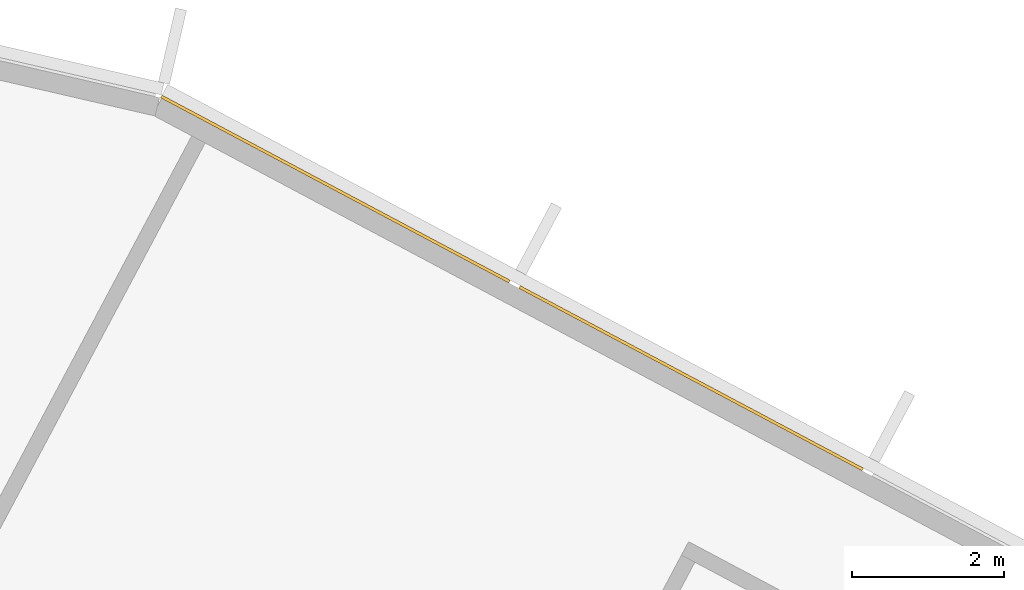
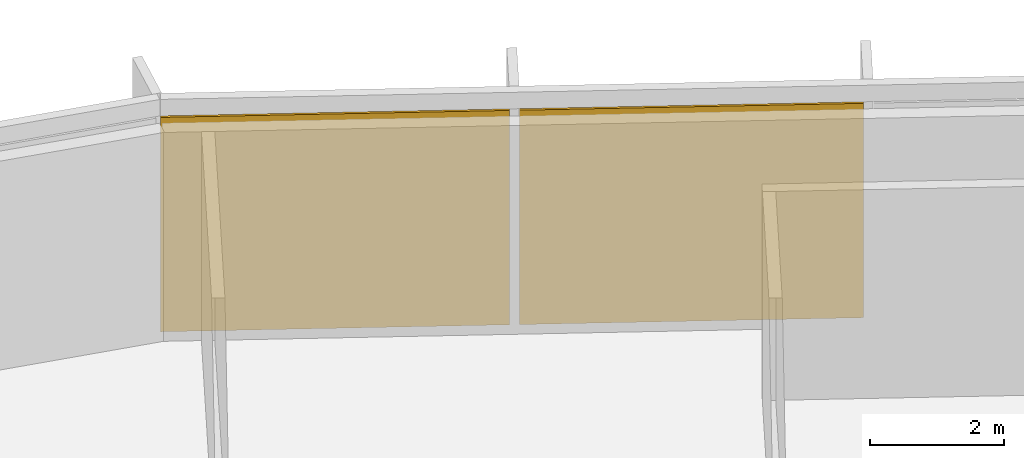
# One storey, part 16 of 16: 2 coverings, 1 element without a shape of its own.
"""IFC4 building model written with IfcOpenShell, lengths in metres."""

from ifc_helpers import new_model, si_unit, direction, frame, origin, origin_2d, place, context, subcontext, project, spatial, rectangle, extrude, material, layer, layer_set, type_object, element, aggregate, save


model = new_model("IFC4")

# Units and contexts
model_context = context("Model", 3, precision=1e-05, world=origin(), true_north=direction((0.0, 1.0)))
body_context = subcontext(model_context, "Body", "Model", "MODEL_VIEW")
ifc_project = project(units=[si_unit("LENGTHUNIT", "METRE"), si_unit("AREAUNIT", "SQUARE_METRE"), si_unit("VOLUMEUNIT", "CUBIC_METRE"), si_unit("PLANEANGLEUNIT", "RADIAN"), si_unit("MASSUNIT", "GRAM", prefix="KILO")], contexts=[model_context])

# Site, building, storey
site_placement = place(None, origin())
site = spatial("IfcSite", under=ifc_project, at=site_placement, CompositionType="ELEMENT")
building_placement = place(site_placement, origin())
building = spatial("IfcBuilding", under=site, at=building_placement, Name="Cormorant Relay Tower", CompositionType="ELEMENT")
storey_placement = place(building_placement, frame((0.0, 0.0, 345.0)))
storey = spatial("IfcBuildingStorey", under=building, at=storey_placement, Name="C5", CompositionType="ELEMENT", Elevation=345.0)

# Curtain wall, coverings
ifc_material_1 = material(Name="Aluminium 6063-T6 anodised bronze", Category="aluminium")
ifc_layer_1 = layer(ifc_material_1, 0.199951171875)
ifc_layer_set_1 = layer_set([ifc_layer_1], Name="CW3 crown screen wall")
curtain_wall_type = type_object("IfcCurtainWallType", Name="CW3 crown screen wall", PredefinedType="NOTDEFINED", material=ifc_layer_set_1)
curtain_wall_placement = place(storey_placement, origin())
curtain_wall = element("IfcCurtainWall", 1, at=curtain_wall_placement, inside=storey, type_object=curtain_wall_type, Name="CW3 curtain wall 14", PredefinedType="NOTDEFINED")
ifc_material_2 = material(Name="Perforated bronze anodised aluminium screen", Category="aluminium")
ifc_layer_2 = layer(ifc_material_2, 0.0400390625)
ifc_layer_set_2 = layer_set([ifc_layer_2], Name="CW3 perforated bronze screen panel 40")
covering_type = type_object("IfcCoveringType", Name="CW3 perforated bronze screen panel 40", PredefinedType="CLADDING", material=ifc_layer_set_2)
covering_1_placement = place(storey_placement, frame((-22.874267578125, 35.968994140625, 0.0), z_axis=(0.0, 0.0, 1.0), x_axis=(-0.882947592859, 0.469471562786, 0.0)))
covering_1 = element("IfcCovering", 2, at=covering_1_placement, type_object=covering_type, Name="CW3 panel X04", PredefinedType="CLADDING", context=body_context, shape_type="SweptSolid", body=[
    extrude(rectangle(XDim=5.1279296875, YDim=0.0400390625, at=origin_2d()), origin(), (0.0, 0.0, 1.0), 3.89990234375),
])
covering_2_placement = place(storey_placement, frame((-27.5673828125, 38.464599609375, 0.0), z_axis=(0.0, 0.0, 1.0), x_axis=(-0.882947592859, 0.469471562786, 0.0)))
covering_2 = element("IfcCovering", 3, at=covering_2_placement, type_object=covering_type, Name="CW3 panel X05", PredefinedType="CLADDING", context=body_context, shape_type="SweptSolid", body=[
    extrude(rectangle(XDim=5.202880859375, YDim=0.0400390625, at=origin_2d()), origin(), (0.0, 0.0, 1.0), 3.89990234375),
])
aggregate(curtain_wall, [covering_1, covering_2])

save(model, "model.ifc")
